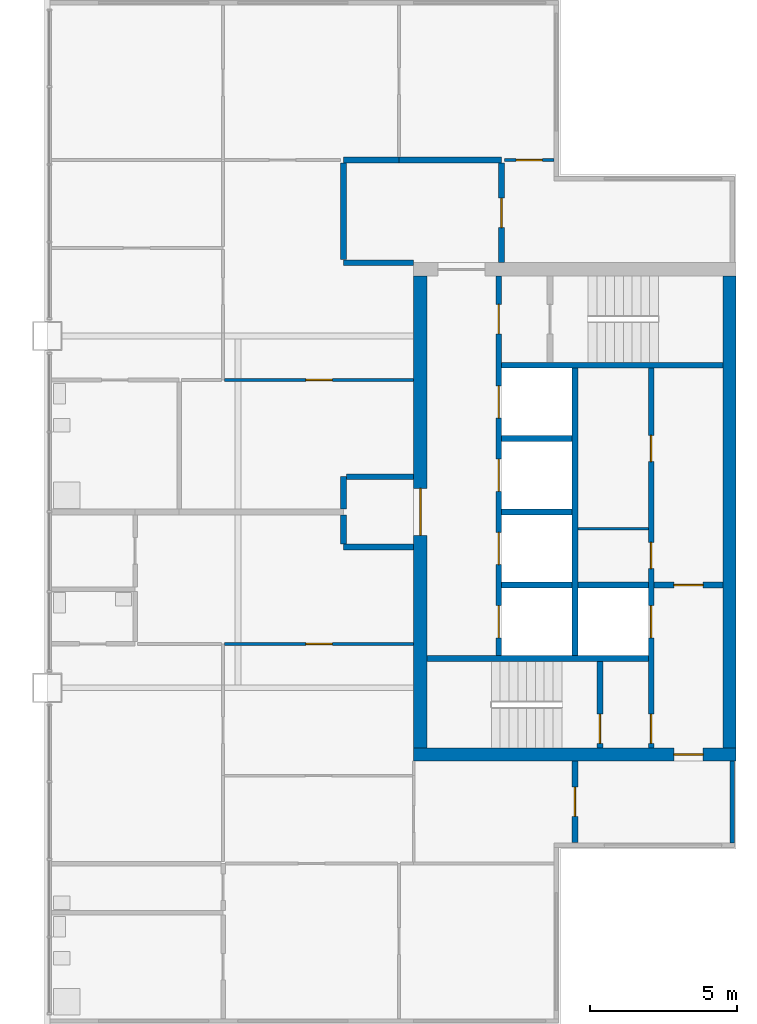
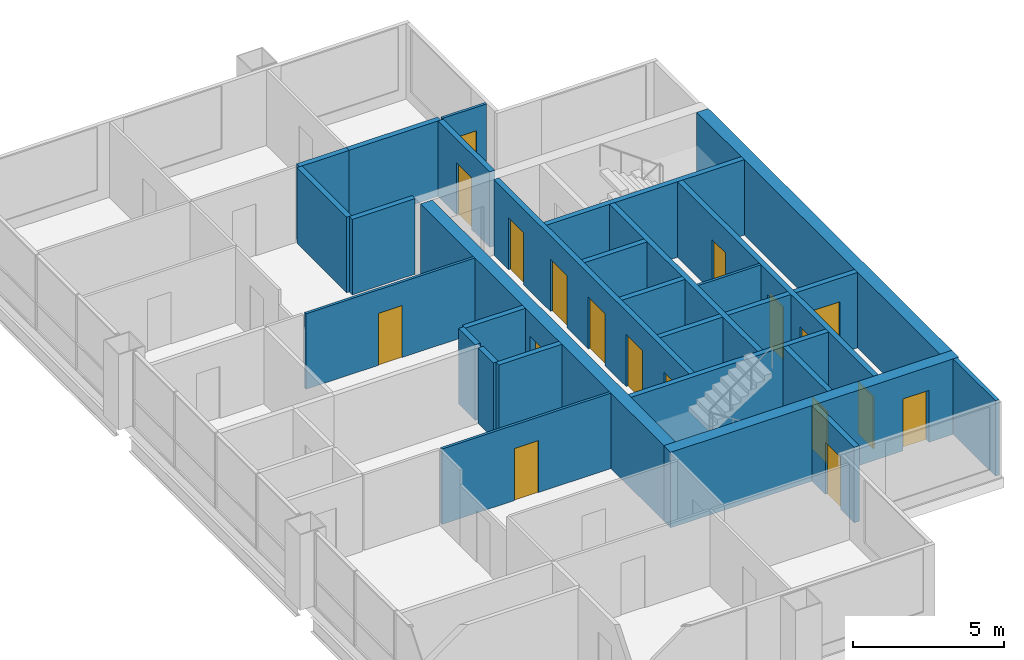
# One storey, part 9 of 12: 29 walls, 18 doors, 18 openings.
"""IFC4 building model written with IfcOpenShell, lengths in metres."""

from ifc_helpers import new_model, si_unit, direction, frame, frame_2d, origin, place, context, subcontext, project, spatial, rectangle, extrude, material, layer, layer_set, type_object, element, fill, save


model = new_model("IFC4")

# Units and contexts
model_context = context("Model", 3, precision=1e-05, world=origin(), true_north=direction((0.0, 1.0)))
body_context = subcontext(model_context, "Body", "Model", "MODEL_VIEW")
ifc_project = project(units=[si_unit("LENGTHUNIT", "METRE"), si_unit("AREAUNIT", "SQUARE_METRE"), si_unit("VOLUMEUNIT", "CUBIC_METRE"), si_unit("PLANEANGLEUNIT", "RADIAN"), si_unit("MASSUNIT", "GRAM", prefix="KILO")], contexts=[model_context])

# Site, building, storey
site_placement = place(None, origin())
site = spatial("IfcSite", under=ifc_project, at=site_placement, CompositionType="ELEMENT")
building_placement = place(site_placement, origin())
building = spatial("IfcBuilding", under=site, at=building_placement, Name="Kitamizu Gate Tower and Museum", CompositionType="ELEMENT")
storey_placement = place(building_placement, frame((0.0, 0.0, 255.89990234375)))
storey = spatial("IfcBuildingStorey", under=building, at=storey_placement, Name="L69", CompositionType="ELEMENT", Elevation=255.89990234375)

# Wall, opening, door
ifc_material_1 = material(Name="Concrete Fc42", Category="concrete")
ifc_layer_1 = layer(ifc_material_1, 0.449951171875)
ifc_layer_set_1 = layer_set([ifc_layer_1], Name="Concrete Fc42")
wall_type_1 = type_object("IfcWallType", Name="Core wall 450 EI 90", PredefinedType="SHEAR", material=ifc_layer_set_1)
wall_1_placement = place(storey_placement, frame((59.5, 21.72509765625, 0.0), z_axis=(0.0, 0.0, 1.0), x_axis=(-1.0, 0.0, 0.0)))
wall_1 = element("IfcWall", 1, at=wall_1_placement, inside=storey, type_object=wall_type_1, Name="Core wall ES", PredefinedType="SHEAR", context=body_context, shape_type="SweptSolid", body=[
    extrude(rectangle(XDim=11.0, YDim=0.449951171875, at=frame_2d((5.5, 0.0))), origin(), (0.0, 0.0, 1.0), 3.050048828125),
])
opening_1_placement = place(wall_1_placement, frame((1.125, 0.0, 0.0)))
opening_1 = element("IfcOpeningElement", 2, at=opening_1_placement, cuts=wall_1, Name="Opening L69-037", PredefinedType="OPENING", context=body_context, shape_type="SweptSolid", body=[
    extrude(rectangle(XDim=1.0, YDim=2.10009765625, at=frame_2d((0.5, 1.050048828125))), frame((0.0, 0.23486328125, 0.0), z_axis=(0.0, -1.0, 0.0), x_axis=(1.0, 0.0, 0.0)), (0.0, 0.0, 1.0), 0.469970703125),
])
ifc_material_2 = material(Name="Hollow metal door set")
door_type_1 = type_object("IfcDoorType", Name="Fire door 1000", OperationType="NOTDEFINED", PredefinedType="DOOR", material=ifc_material_2)
door_1_placement = place(opening_1_placement, frame((1.0, 0.0, 0.0), x_axis=(-1.0, 0.0, 0.0)))
door_1 = element("IfcDoor", 3, at=door_1_placement, inside=storey, type_object=door_type_1, Name="Fire-fighting lobby door L69-037", OperationType="SINGLE_SWING_LEFT", OverallHeight=2.10009765625, OverallWidth=1.0, PredefinedType="DOOR", context=body_context, shape_type="SweptSolid", body=[
    extrude(rectangle(XDim=1.0, YDim=2.10009765625, at=frame_2d((0.5, 1.050048828125))), frame((0.0, 0.02490234375, 0.0), z_axis=(0.0, -1.0, 0.0), x_axis=(1.0, 0.0, 0.0)), (0.0, 0.0, 1.0), 0.050048828125),
])
fill(opening_1, door_1)

# Wall
wall_2_placement = place(storey_placement, frame((59.27490234375, 21.949951171875, 0.0), z_axis=(0.0, 0.0, 1.0), x_axis=(0.0, 1.0, 0.0)))
element("IfcWall", 4, at=wall_2_placement, inside=storey, type_object=wall_type_1, Name="Core wall EOUT", PredefinedType="SHEAR", context=body_context, shape_type="SweptSolid", body=[
    extrude(rectangle(XDim=16.10009765625, YDim=0.449951171875, at=frame_2d((8.050048828125, 0.0))), origin(), (0.0, 0.0, 1.0), 3.050048828125),
])

# Wall, opening, door
wall_3_placement = place(storey_placement, frame((48.72509765625, 21.949951171875, 0.0), z_axis=(0.0, 0.0, 1.0), x_axis=(0.0, 1.0, 0.0)))
wall_3 = element("IfcWall", 5, at=wall_3_placement, inside=storey, type_object=wall_type_1, Name="Core wall EARC", PredefinedType="SHEAR", context=body_context, shape_type="SweptSolid", body=[
    extrude(rectangle(XDim=16.10009765625, YDim=0.449951171875, at=frame_2d((8.050048828125, 0.0))), origin(), (0.0, 0.0, 1.0), 3.050048828125),
])
opening_2_placement = place(wall_3_placement, frame((7.25, 0.0, 0.0)))
opening_2 = element("IfcOpeningElement", 6, at=opening_2_placement, cuts=wall_3, Name="Opening L69-039", PredefinedType="OPENING", context=body_context, shape_type="SweptSolid", body=[
    extrude(rectangle(XDim=1.60009765625, YDim=2.10009765625, at=frame_2d((0.800048828125, 1.050048828125))), frame((0.0, 0.23486328125, 0.0), z_axis=(0.0, -1.0, 0.0), x_axis=(1.0, 0.0, 0.0)), (0.0, 0.0, 1.0), 0.469970703125),
])
ifc_material_3 = material(Name="Timber door set", Category="wood")
door_type_2 = type_object("IfcDoorType", Name="Entrance door 1600", OperationType="DOUBLE_DOOR_SINGLE_SWING", PredefinedType="DOOR", material=ifc_material_3)
door_2_placement = place(opening_2_placement, origin())
door_2 = element("IfcDoor", 7, at=door_2_placement, inside=storey, type_object=door_type_2, Name="Lobby door L69-039", OperationType="DOUBLE_DOOR_SINGLE_SWING", OverallHeight=2.10009765625, OverallWidth=1.60009765625, PredefinedType="DOOR", context=body_context, shape_type="SweptSolid", body=[
    extrude(rectangle(XDim=1.60009765625, YDim=2.10009765625, at=frame_2d((0.800048828125, 1.050048828125))), frame((0.0, 0.02490234375, 0.0), z_axis=(0.0, -1.0, 0.0), x_axis=(1.0, 0.0, 0.0)), (0.0, 0.0, 1.0), 0.050048828125),
])
fill(opening_2, door_2)

# Wall
ifc_material_4 = material(Name="Gypsum board on galvanised stud")
ifc_layer_2 = layer(ifc_material_4, 0.10009765625)
ifc_layer_set_2 = layer_set([ifc_layer_2], Name="Gypsum board on galvanised stud")
wall_type_2 = type_object("IfcWallType", Name="Partition 100", PredefinedType="PARTITIONING", material=ifc_layer_set_2)
wall_4_placement = place(storey_placement, frame((56.5, 29.425048828125, 0.0), z_axis=(0.0, 0.0, 1.0), x_axis=(-1.0, 0.0, 0.0)))
element("IfcWall", 8, at=wall_4_placement, inside=storey, type_object=wall_type_2, Name="Partition EPF1", PredefinedType="PARTITIONING", context=body_context, shape_type="SweptSolid", body=[
    extrude(rectangle(XDim=2.39990234375, YDim=0.10009765625, at=frame_2d((1.199951171875, 0.0))), origin(), (0.0, 0.0, 1.0), 3.050048828125),
])

# Wall, opening, door
ifc_material_5 = material(Name="Gypsum board on galvanised stud")
ifc_layer_3 = layer(ifc_material_5, 0.10009765625)
ifc_layer_set_3 = layer_set([ifc_layer_3], Name="Gypsum board on galvanised stud")
wall_type_3 = type_object("IfcWallType", Name="Partition 100 NOT RATED", PredefinedType="PARTITIONING", material=ifc_layer_set_3)
wall_5_placement = place(storey_placement, frame((48.5, 25.5, 0.0), z_axis=(0.0, 0.0, 1.0), x_axis=(-1.0, 0.0, 0.0)))
wall_5 = element("IfcWall", 9, at=wall_5_placement, inside=storey, type_object=wall_type_3, Name="Partition L69-022", PredefinedType="PARTITIONING", context=body_context, shape_type="SweptSolid", body=[
    extrude(rectangle(XDim=6.449951171875, YDim=0.10009765625, at=frame_2d((3.22509765625, 0.0))), origin(), (0.0, 0.0, 1.0), 3.050048828125),
])
opening_3_placement = place(wall_5_placement, frame((2.77490234375, 0.0, 0.0)))
opening_3 = element("IfcOpeningElement", 10, at=opening_3_placement, cuts=wall_5, Name="Opening L69-009", PredefinedType="OPENING", context=body_context, shape_type="SweptSolid", body=[
    extrude(rectangle(XDim=0.89990234375, YDim=2.10009765625, at=frame_2d((0.449951171875, 1.050048828125))), frame((0.0, 0.06005859375, 0.0), z_axis=(0.0, -1.0, 0.0), x_axis=(1.0, 0.0, 0.0)), (0.0, 0.0, 1.0), 0.1201171875),
])
ifc_material_6 = material(Name="Timber door set", Category="wood")
door_type_3 = type_object("IfcDoorType", Name="Room door 900", OperationType="NOTDEFINED", PredefinedType="DOOR", material=ifc_material_6)
door_3_placement = place(opening_3_placement, origin())
door_3 = element("IfcDoor", 11, at=door_3_placement, inside=storey, type_object=door_type_3, Name="Door L69-009", OperationType="SINGLE_SWING_LEFT", OverallHeight=2.10009765625, OverallWidth=0.89990234375, PredefinedType="DOOR", context=body_context, shape_type="SweptSolid", body=[
    extrude(rectangle(XDim=0.89990234375, YDim=2.10009765625, at=frame_2d((0.449951171875, 1.050048828125))), frame((0.0, 0.02490234375, 0.0), z_axis=(0.0, -1.0, 0.0), x_axis=(1.0, 0.0, 0.0)), (0.0, 0.0, 1.0), 0.050048828125),
])
fill(opening_3, door_3)

wall_6_placement = place(storey_placement, frame((51.60009765625, 42.0, 0.0), z_axis=(0.0, 0.0, 1.0), x_axis=(1.0, 0.0, 0.0)))
wall_6 = element("IfcWall", 12, at=wall_6_placement, inside=storey, type_object=wall_type_3, Name="Partition L69-036", PredefinedType="PARTITIONING", context=body_context, shape_type="SweptSolid", body=[
    extrude(rectangle(XDim=1.679931640625, YDim=0.10009765625, at=frame_2d((0.83984375, 0.0))), origin(), (0.0, 0.0, 1.0), 3.050048828125),
])
opening_4_placement = place(wall_6_placement, frame((0.389892578125, 0.0, 0.0)))
opening_4 = element("IfcOpeningElement", 13, at=opening_4_placement, cuts=wall_6, Name="Opening L69-013", PredefinedType="OPENING", context=body_context, shape_type="SweptSolid", body=[
    extrude(rectangle(XDim=0.89990234375, YDim=2.10009765625, at=frame_2d((0.449951171875, 1.050048828125))), frame((0.0, 0.06005859375, 0.0), z_axis=(0.0, -1.0, 0.0), x_axis=(1.0, 0.0, 0.0)), (0.0, 0.0, 1.0), 0.1201171875),
])
door_4_placement = place(opening_4_placement, origin())
door_4 = element("IfcDoor", 14, at=door_4_placement, inside=storey, type_object=door_type_3, Name="Door L69-013", OperationType="SINGLE_SWING_LEFT", OverallHeight=2.10009765625, OverallWidth=0.89990234375, PredefinedType="DOOR", context=body_context, shape_type="SweptSolid", body=[
    extrude(rectangle(XDim=0.89990234375, YDim=2.10009765625, at=frame_2d((0.449951171875, 1.050048828125))), frame((0.0, 0.02490234375, 0.0), z_axis=(0.0, -1.0, 0.0), x_axis=(1.0, 0.0, 0.0)), (0.0, 0.0, 1.0), 0.050048828125),
])
fill(opening_4, door_4)

wall_7_placement = place(storey_placement, frame((42.050048828125, 34.5, 0.0), z_axis=(0.0, 0.0, 1.0), x_axis=(1.0, 0.0, 0.0)))
wall_7 = element("IfcWall", 15, at=wall_7_placement, inside=storey, type_object=wall_type_3, Name="Partition L69-045", PredefinedType="PARTITIONING", context=body_context, shape_type="SweptSolid", body=[
    extrude(rectangle(XDim=6.449951171875, YDim=0.10009765625, at=frame_2d((3.22509765625, 0.0))), origin(), (0.0, 0.0, 1.0), 3.050048828125),
])
opening_5_placement = place(wall_7_placement, frame((2.77490234375, 0.0, 0.0)))
opening_5 = element("IfcOpeningElement", 16, at=opening_5_placement, cuts=wall_7, Name="Opening L69-016", PredefinedType="OPENING", context=body_context, shape_type="SweptSolid", body=[
    extrude(rectangle(XDim=0.89990234375, YDim=2.10009765625, at=frame_2d((0.449951171875, 1.050048828125))), frame((0.0, 0.06005859375, 0.0), z_axis=(0.0, -1.0, 0.0), x_axis=(1.0, 0.0, 0.0)), (0.0, 0.0, 1.0), 0.1201171875),
])
door_5_placement = place(opening_5_placement, frame((0.89990234375, 0.0, 0.0), x_axis=(-1.0, 0.0, 0.0)))
door_5 = element("IfcDoor", 17, at=door_5_placement, inside=storey, type_object=door_type_3, Name="Door L69-016", OperationType="SINGLE_SWING_RIGHT", OverallHeight=2.10009765625, OverallWidth=0.89990234375, PredefinedType="DOOR", context=body_context, shape_type="SweptSolid", body=[
    extrude(rectangle(XDim=0.89990234375, YDim=2.10009765625, at=frame_2d((0.449951171875, 1.050048828125))), frame((0.0, 0.02490234375, 0.0), z_axis=(0.0, -1.0, 0.0), x_axis=(1.0, 0.0, 0.0)), (0.0, 0.0, 1.0), 0.050048828125),
])
fill(opening_5, door_5)

ifc_material_7 = material(Name="Gypsum board on galvanised stud")
ifc_layer_4 = layer(ifc_material_7, 0.199951171875)
ifc_layer_set_4 = layer_set([ifc_layer_4], Name="Gypsum board on galvanised stud")
wall_type_4 = type_object("IfcWallType", Name="Partition 200", PredefinedType="PARTITIONING", material=ifc_layer_set_4)
wall_8_placement = place(storey_placement, frame((54.0, 18.719970703125, 0.0), z_axis=(0.0, 0.0, 1.0), x_axis=(0.0, 1.0, 0.0)))
wall_8 = element("IfcWall", 18, at=wall_8_placement, inside=storey, type_object=wall_type_4, Name="Partition L69-015", PredefinedType="PARTITIONING", context=body_context, shape_type="SweptSolid", body=[
    extrude(rectangle(XDim=2.780029296875, YDim=0.199951171875, at=frame_2d((1.39013671875, 0.0))), origin(), (0.0, 0.0, 1.0), 3.050048828125),
])
opening_6_placement = place(wall_8_placement, frame((0.889892578125, 0.0, 0.0)))
opening_6 = element("IfcOpeningElement", 19, at=opening_6_placement, cuts=wall_8, Name="Opening L69-001", PredefinedType="OPENING", context=body_context, shape_type="SweptSolid", body=[
    extrude(rectangle(XDim=1.0, YDim=2.10009765625, at=frame_2d((0.5, 1.050048828125))), frame((0.0, 0.10986328125, 0.0), z_axis=(0.0, -1.0, 0.0), x_axis=(1.0, 0.0, 0.0)), (0.0, 0.0, 1.0), 0.219970703125),
])
ifc_material_8 = material(Name="Timber door set", Category="wood")
door_type_4 = type_object("IfcDoorType", Name="Flat entrance door 1000", OperationType="NOTDEFINED", PredefinedType="DOOR", material=ifc_material_8)
door_6_placement = place(opening_6_placement, frame((1.0, 0.0, 0.0), x_axis=(-1.0, 0.0, 0.0)))
door_6 = element("IfcDoor", 20, at=door_6_placement, inside=storey, type_object=door_type_4, Name="Flat entrance door L69-001", OperationType="SINGLE_SWING_LEFT", OverallHeight=2.10009765625, OverallWidth=1.0, PredefinedType="DOOR", context=body_context, shape_type="SweptSolid", body=[
    extrude(rectangle(XDim=1.0, YDim=2.10009765625, at=frame_2d((0.5, 1.050048828125))), frame((0.0, 0.02490234375, 0.0), z_axis=(0.0, -1.0, 0.0), x_axis=(1.0, 0.0, 0.0)), (0.0, 0.0, 1.0), 0.050048828125),
])
fill(opening_6, door_6)

# Walls
wall_9_placement = place(storey_placement, frame((48.5, 28.800048828125, 0.0), z_axis=(0.0, 0.0, 1.0), x_axis=(-1.0, 0.0, 0.0)))
element("IfcWall", 21, at=wall_9_placement, inside=storey, type_object=wall_type_4, Name="Partition L69-029", PredefinedType="PARTITIONING", context=body_context, shape_type="SweptSolid", body=[
    extrude(rectangle(XDim=2.39990234375, YDim=0.199951171875, at=frame_2d((1.199951171875, 0.0))), origin(), (0.0, 0.0, 1.0), 3.050048828125),
])
wall_10_placement = place(storey_placement, frame((46.10009765625, 28.89990234375, 0.0), z_axis=(0.0, 0.0, 1.0), x_axis=(0.0, 1.0, 0.0)))
element("IfcWall", 22, at=wall_10_placement, inside=storey, type_object=wall_type_4, Name="Partition L69-030", PredefinedType="PARTITIONING", context=body_context, shape_type="SweptSolid", body=[
    extrude(rectangle(XDim=1.0, YDim=0.199951171875, at=frame_2d((0.5, 0.0))), origin(), (0.0, 0.0, 1.0), 3.050048828125),
])
wall_11_placement = place(storey_placement, frame((46.10009765625, 42.0, 0.0), z_axis=(0.0, 0.0, 1.0), x_axis=(1.0, 0.0, 0.0)))
element("IfcWall", 23, at=wall_11_placement, inside=storey, type_object=wall_type_4, Name="Partition L69-035", PredefinedType="PARTITIONING", context=body_context, shape_type="SweptSolid", body=[
    extrude(rectangle(XDim=1.89990234375, YDim=0.199951171875, at=frame_2d((0.949951171875, 0.0))), origin(), (0.0, 0.0, 1.0), 3.050048828125),
])
wall_12_placement = place(storey_placement, frame((48.0, 42.0, 0.0), z_axis=(0.0, 0.0, 1.0), x_axis=(1.0, 0.0, 0.0)))
element("IfcWall", 24, at=wall_12_placement, inside=storey, type_object=wall_type_4, Name="Partition L69-037", PredefinedType="PARTITIONING", context=body_context, shape_type="SweptSolid", body=[
    extrude(rectangle(XDim=3.5, YDim=0.199951171875, at=frame_2d((1.75, 0.0))), origin(), (0.0, 0.0, 1.0), 3.050048828125),
])

# Wall, opening, door
wall_13_placement = place(storey_placement, frame((51.5, 41.89990234375, 0.0), z_axis=(0.0, 0.0, 1.0), x_axis=(0.0, -1.0, 0.0)))
wall_13 = element("IfcWall", 25, at=wall_13_placement, inside=storey, type_object=wall_type_4, Name="Partition L69-038", PredefinedType="PARTITIONING", context=body_context, shape_type="SweptSolid", body=[
    extrude(rectangle(XDim=3.39990234375, YDim=0.199951171875, at=frame_2d((1.699951171875, 0.0))), origin(), (0.0, 0.0, 1.0), 3.050048828125),
])
opening_7_placement = place(wall_13_placement, frame((1.199951171875, 0.0, 0.0)))
opening_7 = element("IfcOpeningElement", 26, at=opening_7_placement, cuts=wall_13, Name="Opening L69-012", PredefinedType="OPENING", context=body_context, shape_type="SweptSolid", body=[
    extrude(rectangle(XDim=1.0, YDim=2.10009765625, at=frame_2d((0.5, 1.050048828125))), frame((0.0, 0.10986328125, 0.0), z_axis=(0.0, -1.0, 0.0), x_axis=(1.0, 0.0, 0.0)), (0.0, 0.0, 1.0), 0.219970703125),
])
door_7_placement = place(opening_7_placement, frame((1.0, 0.0, 0.0), x_axis=(-1.0, 0.0, 0.0)))
door_7 = element("IfcDoor", 27, at=door_7_placement, inside=storey, type_object=door_type_4, Name="Flat entrance door L69-012", OperationType="SINGLE_SWING_LEFT", OverallHeight=2.10009765625, OverallWidth=1.0, PredefinedType="DOOR", context=body_context, shape_type="SweptSolid", body=[
    extrude(rectangle(XDim=1.0, YDim=2.10009765625, at=frame_2d((0.5, 1.050048828125))), frame((0.0, 0.02490234375, 0.0), z_axis=(0.0, -1.0, 0.0), x_axis=(1.0, 0.0, 0.0)), (0.0, 0.0, 1.0), 0.050048828125),
])
fill(opening_7, door_7)

# Walls
wall_14_placement = place(storey_placement, frame((48.5, 38.5, 0.0), z_axis=(0.0, 0.0, 1.0), x_axis=(-1.0, 0.0, 0.0)))
element("IfcWall", 28, at=wall_14_placement, inside=storey, type_object=wall_type_4, Name="Partition L69-046", PredefinedType="PARTITIONING", context=body_context, shape_type="SweptSolid", body=[
    extrude(rectangle(XDim=2.39990234375, YDim=0.199951171875, at=frame_2d((1.199951171875, 0.0))), origin(), (0.0, 0.0, 1.0), 3.050048828125),
])
wall_15_placement = place(storey_placement, frame((46.10009765625, 38.60009765625, 0.0), z_axis=(0.0, 0.0, 1.0), x_axis=(0.0, 1.0, 0.0)))
element("IfcWall", 29, at=wall_15_placement, inside=storey, type_object=wall_type_4, Name="Partition L69-047", PredefinedType="PARTITIONING", context=body_context, shape_type="SweptSolid", body=[
    extrude(rectangle(XDim=3.2998046875, YDim=0.199951171875, at=frame_2d((1.64990234375, 0.0))), origin(), (0.0, 0.0, 1.0), 3.050048828125),
])
wall_16_placement = place(storey_placement, frame((46.10009765625, 30.10009765625, 0.0), z_axis=(0.0, 0.0, 1.0), x_axis=(0.0, 1.0, 0.0)))
element("IfcWall", 30, at=wall_16_placement, inside=storey, type_object=wall_type_4, Name="Partition L69-049", PredefinedType="PARTITIONING", context=body_context, shape_type="SweptSolid", body=[
    extrude(rectangle(XDim=1.099853515625, YDim=0.199951171875, at=frame_2d((0.5498046875, 0.0))), origin(), (0.0, 0.0, 1.0), 3.050048828125),
])
wall_17_placement = place(storey_placement, frame((46.199951171875, 31.199951171875, 0.0), z_axis=(0.0, 0.0, 1.0), x_axis=(1.0, 0.0, 0.0)))
element("IfcWall", 31, at=wall_17_placement, inside=storey, type_object=wall_type_4, Name="Partition L69-050", PredefinedType="PARTITIONING", context=body_context, shape_type="SweptSolid", body=[
    extrude(rectangle(XDim=2.300048828125, YDim=0.199951171875, at=frame_2d((1.14990234375, 0.0))), origin(), (0.0, 0.0, 1.0), 3.050048828125),
])

# Wall, openings, doors
ifc_material_9 = material(Name="Concrete Fc42", Category="concrete")
ifc_layer_5 = layer(ifc_material_9, 0.199951171875)
ifc_layer_set_5 = layer_set([ifc_layer_5], Name="Concrete Fc42")
wall_type_5 = type_object("IfcWallType", Name="Shaft wall 200", PredefinedType="SOLIDWALL", material=ifc_layer_set_5)
wall_18_placement = place(storey_placement, frame((56.60009765625, 21.949951171875, 0.0), z_axis=(0.0, 0.0, 1.0), x_axis=(0.0, 1.0, 0.0)))
wall_18 = element("IfcWall", 32, at=wall_18_placement, inside=storey, type_object=wall_type_5, Name="Shaft wall EWEST", PredefinedType="SOLIDWALL", context=body_context, shape_type="SweptSolid", body=[
    extrude(rectangle(XDim=12.949951171875, YDim=0.199951171875, at=frame_2d((6.47509765625, 0.0))), origin(), (0.0, 0.0, 1.0), 3.050048828125),
])
opening_8_placement = place(wall_18_placement, frame((3.75, 0.0, 0.0)))
opening_8 = element("IfcOpeningElement", 33, at=opening_8_placement, cuts=wall_18, Name="Opening LD", PredefinedType="OPENING", context=body_context, shape_type="SweptSolid", body=[
    extrude(rectangle(XDim=1.10009765625, YDim=2.10009765625, at=frame_2d((0.550048828125, 1.050048828125))), frame((0.0, 0.10986328125, 0.0), z_axis=(0.0, -1.0, 0.0), x_axis=(1.0, 0.0, 0.0)), (0.0, 0.0, 1.0), 0.219970703125),
])
opening_9_placement = place(wall_18_placement, frame((0.14990234375, 0.0, 0.0)))
opening_9 = element("IfcOpeningElement", 34, at=opening_9_placement, cuts=wall_18, Name="Opening L69-033", PredefinedType="OPENING", context=body_context, shape_type="SweptSolid", body=[
    extrude(rectangle(XDim=1.0, YDim=2.10009765625, at=frame_2d((0.5, 1.050048828125))), frame((0.0, 0.10986328125, 0.0), z_axis=(0.0, -1.0, 0.0), x_axis=(1.0, 0.0, 0.0)), (0.0, 0.0, 1.0), 0.219970703125),
])
opening_10_placement = place(wall_18_placement, frame((6.112548828125, 0.0, 0.0)))
opening_10 = element("IfcOpeningElement", 35, at=opening_10_placement, cuts=wall_18, Name="Opening L69-040", PredefinedType="OPENING", context=body_context, shape_type="SweptSolid", body=[
    extrude(rectangle(XDim=0.89990234375, YDim=2.10009765625, at=frame_2d((0.449951171875, 1.050048828125))), frame((0.0, 0.10986328125, 0.0), z_axis=(0.0, -1.0, 0.0), x_axis=(1.0, 0.0, 0.0)), (0.0, 0.0, 1.0), 0.219970703125),
])
opening_11_placement = place(wall_18_placement, frame((9.762451171875, 0.0, 0.0)))
opening_11 = element("IfcOpeningElement", 36, at=opening_11_placement, cuts=wall_18, Name="Opening L69-041", PredefinedType="OPENING", context=body_context, shape_type="SweptSolid", body=[
    extrude(rectangle(XDim=0.89990234375, YDim=2.10009765625, at=frame_2d((0.449951171875, 1.050048828125))), frame((0.0, 0.10986328125, 0.0), z_axis=(0.0, -1.0, 0.0), x_axis=(1.0, 0.0, 0.0)), (0.0, 0.0, 1.0), 0.219970703125),
])
door_8_placement = place(opening_9_placement, origin())
door_8 = element("IfcDoor", 37, at=door_8_placement, inside=storey, type_object=door_type_1, Name="Stair lobby door L69-033", OperationType="SINGLE_SWING_RIGHT", OverallHeight=2.10009765625, OverallWidth=1.0, PredefinedType="DOOR", context=body_context, shape_type="SweptSolid", body=[
    extrude(rectangle(XDim=1.0, YDim=2.10009765625, at=frame_2d((0.5, 1.050048828125))), frame((0.0, 0.02490234375, 0.0), z_axis=(0.0, -1.0, 0.0), x_axis=(1.0, 0.0, 0.0)), (0.0, 0.0, 1.0), 0.050048828125),
])
fill(opening_9, door_8)
ifc_material_10 = material(Name="Hollow metal door set")
door_type_5 = type_object("IfcDoorType", Name="Landing door 1100", OperationType="SLIDING_TO_LEFT", PredefinedType="DOOR", material=ifc_material_10)
door_9_placement = place(opening_8_placement, origin())
door_9 = element("IfcDoor", 38, at=door_9_placement, inside=storey, type_object=door_type_5, Name="Landing door EFF1", OperationType="SLIDING_TO_LEFT", OverallHeight=2.10009765625, OverallWidth=1.10009765625, PredefinedType="DOOR", context=body_context, shape_type="SweptSolid", body=[
    extrude(rectangle(XDim=1.10009765625, YDim=2.10009765625, at=frame_2d((0.550048828125, 1.050048828125))), frame((0.0, 0.02490234375, 0.0), z_axis=(0.0, -1.0, 0.0), x_axis=(1.0, 0.0, 0.0)), (0.0, 0.0, 1.0), 0.050048828125),
])
fill(opening_8, door_9)
ifc_material_11 = material(Name="Timber door set", Category="wood")
door_type_6 = type_object("IfcDoorType", Name="Service door 900", OperationType="NOTDEFINED", PredefinedType="DOOR", material=ifc_material_11)
door_10_placement = place(opening_10_placement, origin())
door_10 = element("IfcDoor", 39, at=door_10_placement, inside=storey, type_object=door_type_6, Name="Service door L69-040", OperationType="SINGLE_SWING_LEFT", OverallHeight=2.10009765625, OverallWidth=0.89990234375, PredefinedType="DOOR", context=body_context, shape_type="SweptSolid", body=[
    extrude(rectangle(XDim=0.89990234375, YDim=2.10009765625, at=frame_2d((0.449951171875, 1.050048828125))), frame((0.0, 0.02490234375, 0.0), z_axis=(0.0, -1.0, 0.0), x_axis=(1.0, 0.0, 0.0)), (0.0, 0.0, 1.0), 0.050048828125),
])
fill(opening_10, door_10)
door_11_placement = place(opening_11_placement, origin())
door_11 = element("IfcDoor", 40, at=door_11_placement, inside=storey, type_object=door_type_6, Name="Service door L69-041", OperationType="SINGLE_SWING_RIGHT", OverallHeight=2.10009765625, OverallWidth=0.89990234375, PredefinedType="DOOR", context=body_context, shape_type="SweptSolid", body=[
    extrude(rectangle(XDim=0.89990234375, YDim=2.10009765625, at=frame_2d((0.449951171875, 1.050048828125))), frame((0.0, 0.02490234375, 0.0), z_axis=(0.0, -1.0, 0.0), x_axis=(1.0, 0.0, 0.0)), (0.0, 0.0, 1.0), 0.050048828125),
])
fill(opening_11, door_11)

wall_19_placement = place(storey_placement, frame((51.39990234375, 25.10009765625, 0.0), z_axis=(0.0, 0.0, 1.0), x_axis=(0.0, 1.0, 0.0)))
wall_19 = element("IfcWall", 41, at=wall_19_placement, inside=storey, type_object=wall_type_5, Name="Shaft wall EEAST", PredefinedType="SOLIDWALL", context=body_context, shape_type="SweptSolid", body=[
    extrude(rectangle(XDim=12.949951171875, YDim=0.199951171875, at=frame_2d((6.47509765625, 0.0))), origin(), (0.0, 0.0, 1.0), 3.050048828125),
])
opening_12_placement = place(wall_19_placement, frame((0.60009765625, 0.0, 0.0)))
opening_12 = element("IfcOpeningElement", 42, at=opening_12_placement, cuts=wall_19, Name="Opening LD", PredefinedType="OPENING", context=body_context, shape_type="SweptSolid", body=[
    extrude(rectangle(XDim=1.10009765625, YDim=2.10009765625, at=frame_2d((0.550048828125, 1.050048828125))), frame((0.0, 0.10986328125, 0.0), z_axis=(0.0, -1.0, 0.0), x_axis=(1.0, 0.0, 0.0)), (0.0, 0.0, 1.0), 0.219970703125),
])
opening_13_placement = place(wall_19_placement, frame((3.10009765625, 0.0, 0.0)))
opening_13 = element("IfcOpeningElement", 43, at=opening_13_placement, cuts=wall_19, Name="Opening LD", PredefinedType="OPENING", context=body_context, shape_type="SweptSolid", body=[
    extrude(rectangle(XDim=1.10009765625, YDim=2.10009765625, at=frame_2d((0.550048828125, 1.050048828125))), frame((0.0, 0.10986328125, 0.0), z_axis=(0.0, -1.0, 0.0), x_axis=(1.0, 0.0, 0.0)), (0.0, 0.0, 1.0), 0.219970703125),
])
opening_14_placement = place(wall_19_placement, frame((5.60009765625, 0.0, 0.0)))
opening_14 = element("IfcOpeningElement", 44, at=opening_14_placement, cuts=wall_19, Name="Opening LD", PredefinedType="OPENING", context=body_context, shape_type="SweptSolid", body=[
    extrude(rectangle(XDim=1.10009765625, YDim=2.10009765625, at=frame_2d((0.550048828125, 1.050048828125))), frame((0.0, 0.10986328125, 0.0), z_axis=(0.0, -1.0, 0.0), x_axis=(1.0, 0.0, 0.0)), (0.0, 0.0, 1.0), 0.219970703125),
])
opening_15_placement = place(wall_19_placement, frame((8.10009765625, 0.0, 0.0)))
opening_15 = element("IfcOpeningElement", 45, at=opening_15_placement, cuts=wall_19, Name="Opening LD", PredefinedType="OPENING", context=body_context, shape_type="SweptSolid", body=[
    extrude(rectangle(XDim=1.10009765625, YDim=2.10009765625, at=frame_2d((0.550048828125, 1.050048828125))), frame((0.0, 0.10986328125, 0.0), z_axis=(0.0, -1.0, 0.0), x_axis=(1.0, 0.0, 0.0)), (0.0, 0.0, 1.0), 0.219970703125),
])
opening_16_placement = place(wall_19_placement, frame((10.97509765625, 0.0, 0.0)))
opening_16 = element("IfcOpeningElement", 46, at=opening_16_placement, cuts=wall_19, Name="Opening L69-034", PredefinedType="OPENING", context=body_context, shape_type="SweptSolid", body=[
    extrude(rectangle(XDim=1.0, YDim=2.10009765625, at=frame_2d((0.5, 1.050048828125))), frame((0.0, 0.10986328125, 0.0), z_axis=(0.0, -1.0, 0.0), x_axis=(1.0, 0.0, 0.0)), (0.0, 0.0, 1.0), 0.219970703125),
])
door_12_placement = place(opening_16_placement, frame((1.0, 0.0, 0.0), x_axis=(-1.0, 0.0, 0.0)))
door_12 = element("IfcDoor", 47, at=door_12_placement, inside=storey, type_object=door_type_1, Name="Stair lobby door L69-034", OperationType="SINGLE_SWING_RIGHT", OverallHeight=2.10009765625, OverallWidth=1.0, PredefinedType="DOOR", context=body_context, shape_type="SweptSolid", body=[
    extrude(rectangle(XDim=1.0, YDim=2.10009765625, at=frame_2d((0.5, 1.050048828125))), frame((0.0, 0.02490234375, 0.0), z_axis=(0.0, -1.0, 0.0), x_axis=(1.0, 0.0, 0.0)), (0.0, 0.0, 1.0), 0.050048828125),
])
fill(opening_16, door_12)
door_13_placement = place(opening_12_placement, origin())
door_13 = element("IfcDoor", 48, at=door_13_placement, inside=storey, type_object=door_type_5, Name="Landing door ESV1", OperationType="SLIDING_TO_LEFT", OverallHeight=2.10009765625, OverallWidth=1.10009765625, PredefinedType="DOOR", context=body_context, shape_type="SweptSolid", body=[
    extrude(rectangle(XDim=1.10009765625, YDim=2.10009765625, at=frame_2d((0.550048828125, 1.050048828125))), frame((0.0, 0.02490234375, 0.0), z_axis=(0.0, -1.0, 0.0), x_axis=(1.0, 0.0, 0.0)), (0.0, 0.0, 1.0), 0.050048828125),
])
fill(opening_12, door_13)
door_14_placement = place(opening_13_placement, origin())
door_14 = element("IfcDoor", 49, at=door_14_placement, inside=storey, type_object=door_type_5, Name="Landing door EH1", OperationType="SLIDING_TO_LEFT", OverallHeight=2.10009765625, OverallWidth=1.10009765625, PredefinedType="DOOR", context=body_context, shape_type="SweptSolid", body=[
    extrude(rectangle(XDim=1.10009765625, YDim=2.10009765625, at=frame_2d((0.550048828125, 1.050048828125))), frame((0.0, 0.02490234375, 0.0), z_axis=(0.0, -1.0, 0.0), x_axis=(1.0, 0.0, 0.0)), (0.0, 0.0, 1.0), 0.050048828125),
])
fill(opening_13, door_14)
door_15_placement = place(opening_14_placement, origin())
door_15 = element("IfcDoor", 50, at=door_15_placement, inside=storey, type_object=door_type_5, Name="Landing door EH2", OperationType="SLIDING_TO_LEFT", OverallHeight=2.10009765625, OverallWidth=1.10009765625, PredefinedType="DOOR", context=body_context, shape_type="SweptSolid", body=[
    extrude(rectangle(XDim=1.10009765625, YDim=2.10009765625, at=frame_2d((0.550048828125, 1.050048828125))), frame((0.0, 0.02490234375, 0.0), z_axis=(0.0, -1.0, 0.0), x_axis=(1.0, 0.0, 0.0)), (0.0, 0.0, 1.0), 0.050048828125),
])
fill(opening_14, door_15)
door_16_placement = place(opening_15_placement, origin())
door_16 = element("IfcDoor", 51, at=door_16_placement, inside=storey, type_object=door_type_5, Name="Landing door EH3", OperationType="SLIDING_TO_LEFT", OverallHeight=2.10009765625, OverallWidth=1.10009765625, PredefinedType="DOOR", context=body_context, shape_type="SweptSolid", body=[
    extrude(rectangle(XDim=1.10009765625, YDim=2.10009765625, at=frame_2d((0.550048828125, 1.050048828125))), frame((0.0, 0.02490234375, 0.0), z_axis=(0.0, -1.0, 0.0), x_axis=(1.0, 0.0, 0.0)), (0.0, 0.0, 1.0), 0.050048828125),
])
fill(opening_15, door_16)

# Walls
wall_20_placement = place(storey_placement, frame((54.0, 25.10009765625, 0.0), z_axis=(0.0, 0.0, 1.0), x_axis=(0.0, 1.0, 0.0)))
element("IfcWall", 52, at=wall_20_placement, inside=storey, type_object=wall_type_5, Name="Shaft wall EMID", PredefinedType="SOLIDWALL", context=body_context, shape_type="SweptSolid", body=[
    extrude(rectangle(XDim=9.7998046875, YDim=0.199951171875, at=frame_2d((4.89990234375, 0.0))), origin(), (0.0, 0.0, 1.0), 3.050048828125),
])
for number, where, z_axis, x_axis, name in (
    (53, (56.5, 25.0, 0.0), (0.0, 0.0, 1.0), (-1.0, 0.0, 0.0), "Shaft wall ESB"),
    (54, (59.050048828125, 35.0, 0.0), (0.0, 0.0, 1.0), (-1.0, 0.0, 0.0), "Shaft wall ENB"),
):
    element("IfcWall", number, at=place(storey_placement, frame(where, z_axis=z_axis, x_axis=x_axis)), inside=storey, type_object=wall_type_5, Name=name, PredefinedType="SOLIDWALL", context=body_context, shape_type="SweptSolid", body=[
        extrude(rectangle(XDim=7.550048828125, YDim=0.199951171875, at=frame_2d((3.77490234375, 0.0))), origin(), (0.0, 0.0, 1.0), 3.050048828125),
    ])

# Wall, opening, door
wall_21_placement = place(storey_placement, frame((59.050048828125, 27.5, 0.0), z_axis=(0.0, 0.0, 1.0), x_axis=(-1.0, 0.0, 0.0)))
wall_21 = element("IfcWall", 55, at=wall_21_placement, inside=storey, type_object=wall_type_5, Name="Shaft wall EFFN", PredefinedType="SOLIDWALL", context=body_context, shape_type="SweptSolid", body=[
    extrude(rectangle(XDim=2.35009765625, YDim=0.199951171875, at=frame_2d((1.175048828125, 0.0))), origin(), (0.0, 0.0, 1.0), 3.050048828125),
])
opening_17_placement = place(wall_21_placement, frame((0.675048828125, 0.0, 0.0)))
opening_17 = element("IfcOpeningElement", 56, at=opening_17_placement, cuts=wall_21, Name="Opening L69-036", PredefinedType="OPENING", context=body_context, shape_type="SweptSolid", body=[
    extrude(rectangle(XDim=1.0, YDim=2.10009765625, at=frame_2d((0.5, 1.050048828125))), frame((0.0, 0.10986328125, 0.0), z_axis=(0.0, -1.0, 0.0), x_axis=(1.0, 0.0, 0.0)), (0.0, 0.0, 1.0), 0.219970703125),
])
door_17_placement = place(opening_17_placement, origin())
door_17 = element("IfcDoor", 57, at=door_17_placement, inside=storey, type_object=door_type_1, Name="Fire-fighting lobby door L69-036", OperationType="SINGLE_SWING_LEFT", OverallHeight=2.10009765625, OverallWidth=1.0, PredefinedType="DOOR", context=body_context, shape_type="SweptSolid", body=[
    extrude(rectangle(XDim=1.0, YDim=2.10009765625, at=frame_2d((0.5, 1.050048828125))), frame((0.0, 0.02490234375, 0.0), z_axis=(0.0, -1.0, 0.0), x_axis=(1.0, 0.0, 0.0)), (0.0, 0.0, 1.0), 0.050048828125),
])
fill(opening_17, door_17)

wall_22_placement = place(storey_placement, frame((54.85009765625, 21.949951171875, 0.0), z_axis=(0.0, 0.0, 1.0), x_axis=(0.0, 1.0, 0.0)))
wall_22 = element("IfcWall", 58, at=wall_22_placement, inside=storey, type_object=wall_type_5, Name="Shaft wall ESZ", PredefinedType="SOLIDWALL", context=body_context, shape_type="SweptSolid", body=[
    extrude(rectangle(XDim=2.949951171875, YDim=0.199951171875, at=frame_2d((1.47509765625, 0.0))), origin(), (0.0, 0.0, 1.0), 3.050048828125),
])
opening_18_placement = place(wall_22_placement, frame((0.14990234375, 0.0, 0.0)))
opening_18 = element("IfcOpeningElement", 59, at=opening_18_placement, cuts=wall_22, Name="Opening L69-032", PredefinedType="OPENING", context=body_context, shape_type="SweptSolid", body=[
    extrude(rectangle(XDim=1.0, YDim=2.10009765625, at=frame_2d((0.5, 1.050048828125))), frame((0.0, 0.10986328125, 0.0), z_axis=(0.0, -1.0, 0.0), x_axis=(1.0, 0.0, 0.0)), (0.0, 0.0, 1.0), 0.219970703125),
])
door_18_placement = place(opening_18_placement, origin())
door_18 = element("IfcDoor", 60, at=door_18_placement, inside=storey, type_object=door_type_1, Name="Stair door L69-032", OperationType="SINGLE_SWING_RIGHT", OverallHeight=2.10009765625, OverallWidth=1.0, PredefinedType="DOOR", context=body_context, shape_type="SweptSolid", body=[
    extrude(rectangle(XDim=1.0, YDim=2.10009765625, at=frame_2d((0.5, 1.050048828125))), frame((0.0, 0.02490234375, 0.0), z_axis=(0.0, -1.0, 0.0), x_axis=(1.0, 0.0, 0.0)), (0.0, 0.0, 1.0), 0.050048828125),
])
fill(opening_18, door_18)

# Walls
for number, where, z_axis, x_axis, name in (
    (61, (56.5, 27.5, 0.0), (0.0, 0.0, 1.0), (-1.0, 0.0, 0.0), "Shaft wall EDVW0"),
    (62, (53.89990234375, 27.5, 0.0), (0.0, 0.0, 1.0), (-1.0, 0.0, 0.0), "Shaft wall EDVE0"),
    (63, (53.89990234375, 30.0, 0.0), (0.0, 0.0, 1.0), (-1.0, 0.0, 0.0), "Shaft wall EDVE1"),
    (64, (53.89990234375, 32.5, 0.0), (0.0, 0.0, 1.0), (-1.0, 0.0, 0.0), "Shaft wall EDVE2"),
):
    element("IfcWall", number, at=place(storey_placement, frame(where, z_axis=z_axis, x_axis=x_axis)), inside=storey, type_object=wall_type_5, Name=name, PredefinedType="SOLIDWALL", context=body_context, shape_type="SweptSolid", body=[
        extrude(rectangle(XDim=2.39990234375, YDim=0.199951171875, at=frame_2d((1.199951171875, 0.0))), origin(), (0.0, 0.0, 1.0), 3.050048828125),
    ])
ifc_material_12 = material(Name="Bronze anodised aluminium frame with insulated spandrel and tinted glass", Category="aluminium")
ifc_layer_6 = layer(ifc_material_12, 0.14990234375)
ifc_layer_set_6 = layer_set([ifc_layer_6], Name="Bronze anodised aluminium frame with insulated spandrel and tinted glass")
wall_type_6 = type_object("IfcWallType", Name="WINDOW WALL 150 BRONZE FRAME EI 30", PredefinedType="ELEMENTEDWALL", material=ifc_layer_set_6)
wall_23_placement = place(storey_placement, frame((59.364990234375, 18.7099609375, 0.0), z_axis=(0.0, 0.0, 1.0), x_axis=(0.0, 1.0, 0.0)))
element("IfcWall", 65, at=wall_23_placement, inside=storey, type_object=wall_type_6, Name="Window wall east L69", PredefinedType="ELEMENTEDWALL", context=body_context, shape_type="SweptSolid", body=[
    extrude(rectangle(XDim=2.7900390625, YDim=0.14990234375, at=frame_2d((1.39501953125, 0.0))), origin(), (0.0, 0.0, 1.0), 3.050048828125),
])

save(model, "model.ifc")
